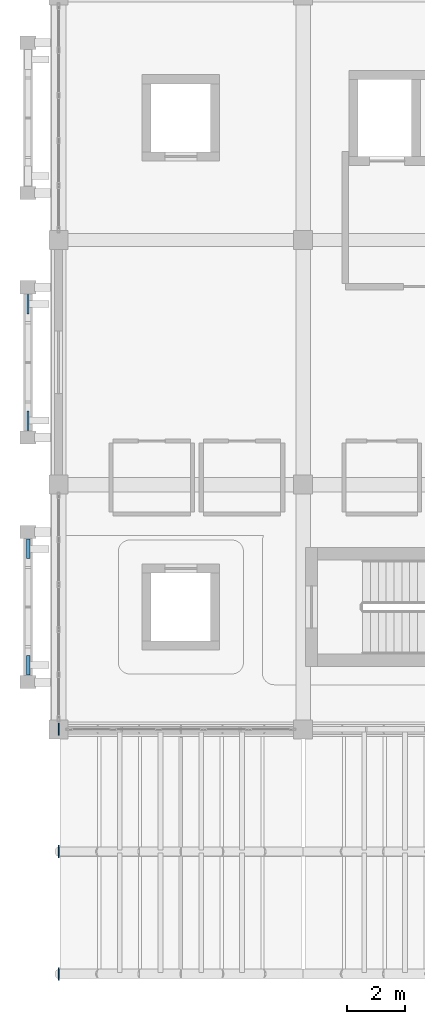
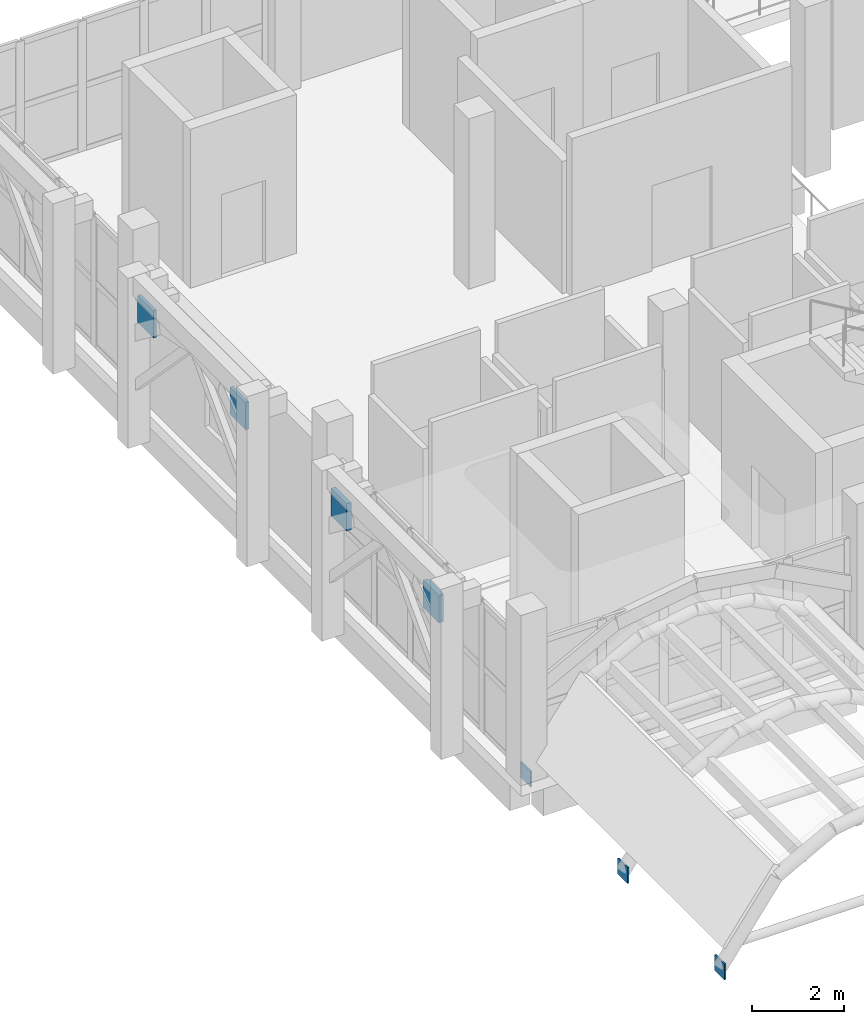
# One storey, part 14 of 22: 7 plates.
"""IFC4 building model written with IfcOpenShell, lengths in metres."""

from ifc_helpers import new_model, si_unit, direction, frame, origin, origin_2d, place, context, subcontext, project, spatial, rectangle, extrude, material, layer, layer_set, type_object, element, save


model = new_model("IFC4")

# Units and contexts
model_context = context("Model", 3, precision=1e-05, world=origin(), true_north=direction((0.0, 1.0)))
body_context = subcontext(model_context, "Body", "Model", "MODEL_VIEW")
ifc_project = project(units=[si_unit("LENGTHUNIT", "METRE"), si_unit("AREAUNIT", "SQUARE_METRE"), si_unit("VOLUMEUNIT", "CUBIC_METRE"), si_unit("PLANEANGLEUNIT", "RADIAN"), si_unit("MASSUNIT", "GRAM", prefix="KILO")], contexts=[model_context])

# Site, building, storey
site_placement = place(None, origin())
site = spatial("IfcSite", under=ifc_project, at=site_placement, CompositionType="ELEMENT")
building_placement = place(site_placement, origin())
building = spatial("IfcBuilding", under=site, at=building_placement, Name="Xazarin Passage Department Store", CompositionType="ELEMENT")
storey_placement = place(building_placement, frame((0.0, 0.0, 27.89990234375)))
storey = spatial("IfcBuildingStorey", under=building, at=storey_placement, Name="L06", CompositionType="ELEMENT", Elevation=27.89990234375)

# Plates
ifc_material_1 = material(Name="Precast concrete C40/50", Category="concrete")
ifc_layer_1 = layer(ifc_material_1, 0.080078125)
ifc_layer_set_1 = layer_set([ifc_layer_1], Name="Precast concrete C40/50")
plate_type_1 = type_object("IfcPlateType", Name="ARC-PLT-SCR-01", PredefinedType="USERDEFINED", material=ifc_layer_set_1)
for number, where, z_axis, x_axis, name in (
    (1, (-1.050048828125, 87.0, 3.26025390625), (0.0, 0.0, 1.0), (0.0, 1.0, 0.0), "L06 V1 Arch Spandrel Tympanum 0121"),
    (2, (-1.050048828125, 91.0, 3.26025390625), (0.0, 0.0, 1.0), (0.0, 1.0, 0.0), "L06 V1 Arch Spandrel Tympanum 0122"),
):
    element("IfcPlate", number, at=place(storey_placement, frame(where, z_axis=z_axis, x_axis=x_axis)), inside=storey, type_object=plate_type_1, Name=name, ObjectType="SCREEN PANEL", PredefinedType="USERDEFINED", context=body_context, shape_type="SweptSolid", body=[
        extrude(rectangle(XDim=0.679931640625, YDim=0.080078125, at=origin_2d()), origin(), (0.0, 0.0, 1.0), 0.719970703125),
    ])
ifc_layer_2 = layer(ifc_material_1, 0.1201171875)
ifc_layer_set_2 = layer_set([ifc_layer_2], Name="Precast concrete C40/50")
plate_type_2 = type_object("IfcPlateType", Name="ARC-PLT-SCR-05", PredefinedType="USERDEFINED", material=ifc_layer_set_2)
for number, where, z_axis, x_axis, name in (
    (3, (-1.050048828125, 78.60009765625, 3.26025390625), (0.0, 0.0, 1.0), (0.0, 1.0, 0.0), "L06 V1 Arch Spandrel Tympanum 0105"),
    (4, (-1.050048828125, 82.60009765625, 3.26025390625), (0.0, 0.0, 1.0), (0.0, 1.0, 0.0), "L06 V1 Arch Spandrel Tympanum 0106"),
):
    element("IfcPlate", number, at=place(storey_placement, frame(where, z_axis=z_axis, x_axis=x_axis)), inside=storey, type_object=plate_type_2, Name=name, ObjectType="SCREEN PANEL", PredefinedType="USERDEFINED", context=body_context, shape_type="SweptSolid", body=[
        extrude(rectangle(XDim=0.679931640625, YDim=0.1201171875, at=origin_2d()), origin(), (0.0, 0.0, 1.0), 0.719970703125),
    ])
ifc_material_2 = material(Name="Steel S355", Category="steel")
ifc_layer_3 = layer(ifc_material_2, 0.02001953125)
ifc_layer_set_3 = layer_set([ifc_layer_3], Name="Steel S355")
plate_type_3 = type_object("IfcPlateType", Name="STR-PLT-CAP20", PredefinedType="USERDEFINED", material=ifc_layer_set_3)
for number, where, z_axis, x_axis, name in (
    (5, (0.0, 68.0, -0.2099609375), (0.0, 0.0, 1.0), (1.0, 0.0, 0.0), "L06 V1S Shell Arch Rib End Cap 1.1.W"),
    (6, (0.0, 72.199951171875, -0.2099609375), (0.0, 0.0, 1.0), (1.0, 0.0, 0.0), "L06 V1S Shell Arch Rib End Cap 1.2.W"),
    (7, (0.0, 76.39990234375, -0.2099609375), (0.0, 0.0, 1.0), (1.0, 0.0, 0.0), "L06 V1S Shell Arch Rib End Cap 1.3.W"),
):
    element("IfcPlate", number, at=place(storey_placement, frame(where, z_axis=z_axis, x_axis=x_axis)), inside=storey, type_object=plate_type_3, Name=name, ObjectType="GUSSET PLATE", PredefinedType="USERDEFINED", context=body_context, shape_type="SweptSolid", body=[
        extrude(rectangle(XDim=0.035888671875, YDim=0.419921875, at=origin_2d()), origin(), (0.0, 0.0, 1.0), 0.419921875),
    ])

save(model, "model.ifc")
